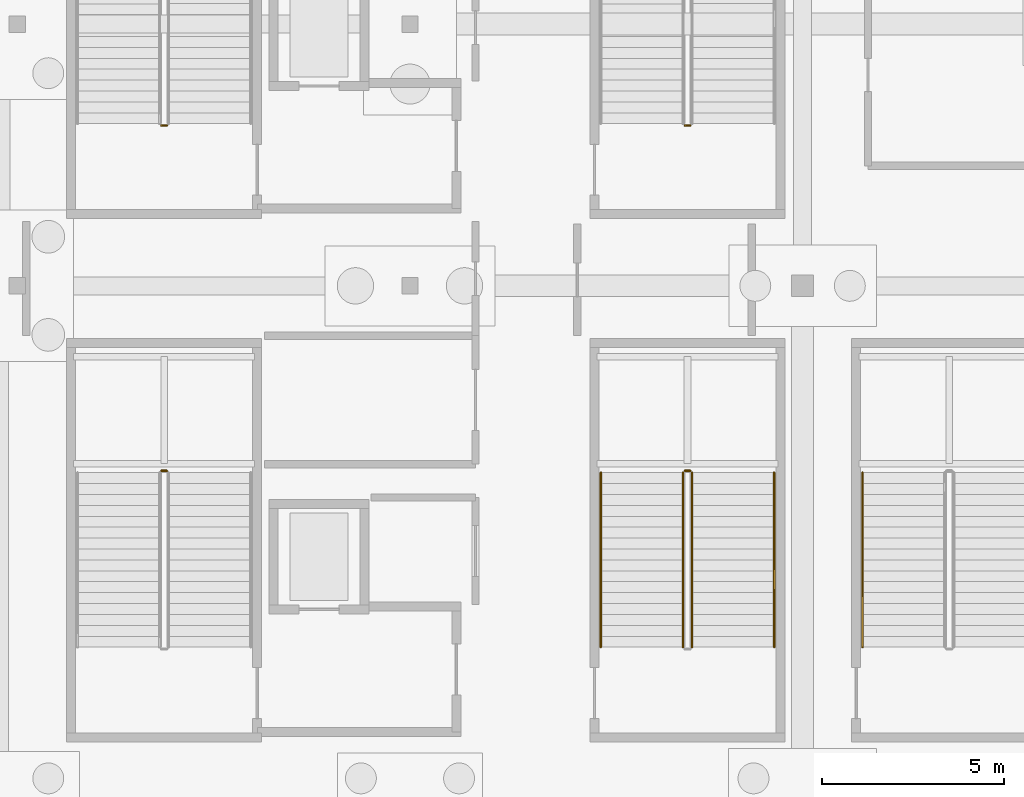
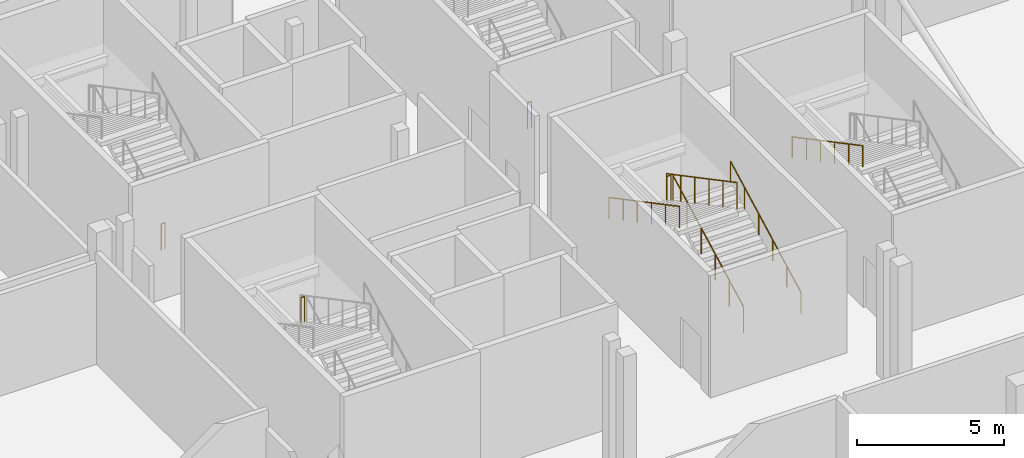
# One storey, part 59 of 89: 9 railings.
"""IFC4 building model written with IfcOpenShell, lengths in metres."""

from ifc_helpers import new_model, si_unit, direction, frame, origin, origin_2d, place, context, subcontext, project, spatial, circle, extrude, material, type_object, element, save


model = new_model("IFC4")

# Units and contexts
model_context = context("Model", 3, precision=1e-05, world=origin(), true_north=direction((0.0, 1.0)))
body_context = subcontext(model_context, "Body", "Model", "MODEL_VIEW")
ifc_project = project(units=[si_unit("LENGTHUNIT", "METRE"), si_unit("AREAUNIT", "SQUARE_METRE"), si_unit("VOLUMEUNIT", "CUBIC_METRE"), si_unit("PLANEANGLEUNIT", "RADIAN"), si_unit("MASSUNIT", "GRAM", prefix="KILO")], contexts=[model_context])

# Site, building, storey
site_placement = place(None, origin())
site = spatial("IfcSite", under=ifc_project, at=site_placement, CompositionType="ELEMENT")
building_placement = place(site_placement, origin())
building = spatial("IfcBuilding", under=site, at=building_placement, Name="Koshinbarg Plaza Stadium", CompositionType="ELEMENT")
storey_placement = place(building_placement, origin())
storey = spatial("IfcBuildingStorey", under=building, at=storey_placement, Name="L00", CompositionType="ELEMENT", Elevation=0.0)

# Railings
ifc_material_1 = material(Name="Galvanized painted steel guardrail", Category="steel")
railing_type_1 = type_object("IfcRailingType", Name="RL-GUARD-1100", PredefinedType="GUARDRAIL", material=ifc_material_1)
for number, where, name in (
    (1, (28.7099609375, 34.81005859375, 2.699951171875), "L00 C01 stair guard 2"),
    (2, (28.7099609375, 44.31005859375, 0.0), "L00 C02 stair guard 4"),
):
    element("IfcRailing", number, at=place(storey_placement, frame(where)), inside=storey, type_object=railing_type_1, Name=name, PredefinedType="GUARDRAIL", context=body_context, shape_type="SweptSolid", body=[
        extrude(circle(Radius=0.02392578125, at=origin_2d()), frame((0.0, 0.0, 1.076171875), z_axis=(-1.0, 0.0, 0.0), x_axis=(0.0, -1.0, 0.0)), (0.0, 0.0, 1.0), 0.14990234375),
        extrude(circle(Radius=0.02099609375, at=origin_2d()), origin(), (0.0, 0.0, 1.0), 1.052001953125),
        extrude(circle(Radius=0.02099609375, at=origin_2d()), frame((-0.14990234375, 0.0, 0.0)), (0.0, 0.0, 1.0), 1.052001953125),
    ])
railing_1_placement = place(storey_placement, frame((43.159912109375, 29.9599609375, 0.158935546875)))
element("IfcRailing", 3, at=railing_1_placement, inside=storey, type_object=railing_type_1, Name="L00 VX01 stair guard 1", PredefinedType="GUARDRAIL", context=body_context, shape_type="SweptSolid", body=[
    extrude(circle(Radius=0.02392578125, at=origin_2d()), frame((0.0, 0.0, 1.076171875), z_axis=(0.0, 0.883802130504, 0.467860870469), x_axis=(-1.0, 0.0, 0.0)), (0.0, 0.0, 1.0), 5.43115234375),
    extrude(circle(Radius=0.02099609375, at=origin_2d()), origin(), (0.0, 0.0, 1.0), 1.052001953125),
    extrude(circle(Radius=0.02099609375, at=origin_2d()), frame((0.0, 0.9599609375, 0.50830078125)), (0.0, 0.0, 1.0), 1.052001953125),
    extrude(circle(Radius=0.02099609375, at=origin_2d()), frame((0.0, 1.919921875, 1.016357421875)), (0.0, 0.0, 1.0), 1.052001953125),
    extrude(circle(Radius=0.02099609375, at=origin_2d()), frame((0.0, 2.880126953125, 1.524658203125)), (0.0, 0.0, 1.0), 1.052001953125),
    extrude(circle(Radius=0.02099609375, at=origin_2d()), frame((0.0, 3.840087890625, 2.03271484375)), (0.0, 0.0, 1.0), 1.052001953125),
    extrude(circle(Radius=0.02099609375, at=origin_2d()), frame((0.0, 4.800048828125, 2.541015625)), (0.0, 0.0, 1.0), 1.052001953125),
])
railing_2_placement = place(storey_placement, frame((43.110107421875, 34.81005859375, 2.699951171875)))
element("IfcRailing", 4, at=railing_2_placement, inside=storey, type_object=railing_type_1, Name="L00 VX01 stair guard 2", PredefinedType="GUARDRAIL", context=body_context, shape_type="SweptSolid", body=[
    extrude(circle(Radius=0.02392578125, at=origin_2d()), frame((0.0, 0.0, 1.076171875), z_axis=(-1.0, 0.0, 0.0), x_axis=(0.0, -1.0, 0.0)), (0.0, 0.0, 1.0), 0.150146484375),
    extrude(circle(Radius=0.02099609375, at=origin_2d()), origin(), (0.0, 0.0, 1.0), 1.052001953125),
    extrude(circle(Radius=0.02099609375, at=origin_2d()), frame((-0.150146484375, 0.0, 0.0)), (0.0, 0.0, 1.0), 1.052001953125),
])
railing_3_placement = place(storey_placement, frame((42.909912109375, 34.760009765625, 2.85888671875)))
element("IfcRailing", 5, at=railing_3_placement, inside=storey, type_object=railing_type_1, Name="L00 VX01 stair guard 3", PredefinedType="GUARDRAIL", context=body_context, shape_type="SweptSolid", body=[
    extrude(circle(Radius=0.02392578125, at=origin_2d()), frame((0.0, 0.0, 1.076171875), z_axis=(0.0, -0.883802130504, 0.467860870469), x_axis=(1.0, 0.0, 0.0)), (0.0, 0.0, 1.0), 5.43115234375),
    extrude(circle(Radius=0.02099609375, at=origin_2d()), origin(), (0.0, 0.0, 1.0), 1.052001953125),
    extrude(circle(Radius=0.02099609375, at=origin_2d()), frame((0.0, -0.9599609375, 0.50830078125)), (0.0, 0.0, 1.0), 1.052001953125),
    extrude(circle(Radius=0.02099609375, at=origin_2d()), frame((0.0, -1.919921875, 1.016357421875)), (0.0, 0.0, 1.0), 1.052001953125),
    extrude(circle(Radius=0.02099609375, at=origin_2d()), frame((0.0, -2.880126953125, 1.524658203125)), (0.0, 0.0, 1.0), 1.052001953125),
    extrude(circle(Radius=0.02099609375, at=origin_2d()), frame((0.0, -3.840087890625, 2.03271484375)), (0.0, 0.0, 1.0), 1.052001953125),
    extrude(circle(Radius=0.02099609375, at=origin_2d()), frame((0.0, -4.800048828125, 2.541015625)), (0.0, 0.0, 1.0), 1.052001953125),
])
railing_4_placement = place(storey_placement, frame((43.110107421875, 44.31005859375, 0.0)))
element("IfcRailing", 6, at=railing_4_placement, inside=storey, type_object=railing_type_1, Name="L00 VX02 stair guard 4", PredefinedType="GUARDRAIL", context=body_context, shape_type="SweptSolid", body=[
    extrude(circle(Radius=0.02392578125, at=origin_2d()), frame((0.0, 0.0, 1.076171875), z_axis=(-1.0, 0.0, 0.0), x_axis=(0.0, -1.0, 0.0)), (0.0, 0.0, 1.0), 0.150146484375),
    extrude(circle(Radius=0.02099609375, at=origin_2d()), origin(), (0.0, 0.0, 1.0), 1.052001953125),
    extrude(circle(Radius=0.02099609375, at=origin_2d()), frame((-0.150146484375, 0.0, 0.0)), (0.0, 0.0, 1.0), 1.052001953125),
])
ifc_material_2 = material(Name="Brushed stainless steel handrail", Category="steel")
railing_type_2 = type_object("IfcRailingType", Name="RL-HAND-900", PredefinedType="HANDRAIL", material=ifc_material_2)
railing_5_placement = place(storey_placement, frame((45.419921875, 29.9599609375, 0.158935546875)))
element("IfcRailing", 7, at=railing_5_placement, inside=storey, type_object=railing_type_2, Name="L00 VX01 stair handrail 1", PredefinedType="HANDRAIL", context=body_context, shape_type="SweptSolid", body=[
    extrude(circle(Radius=0.02392578125, at=origin_2d()), frame((0.0, 0.0, 0.8759765625), z_axis=(0.0, 0.883802130504, 0.467860870469), x_axis=(-1.0, 0.0, 0.0)), (0.0, 0.0, 1.0), 5.43115234375),
    extrude(circle(Radius=0.02099609375, at=origin_2d()), origin(), (0.0, 0.0, 1.0), 0.851806640625),
    extrude(circle(Radius=0.02099609375, at=origin_2d()), frame((0.0, 0.9599609375, 0.50830078125)), (0.0, 0.0, 1.0), 0.851806640625),
    extrude(circle(Radius=0.02099609375, at=origin_2d()), frame((0.0, 1.919921875, 1.016357421875)), (0.0, 0.0, 1.0), 0.851806640625),
    extrude(circle(Radius=0.02099609375, at=origin_2d()), frame((0.0, 2.880126953125, 1.524658203125)), (0.0, 0.0, 1.0), 0.851806640625),
    extrude(circle(Radius=0.02099609375, at=origin_2d()), frame((0.0, 3.840087890625, 2.03271484375)), (0.0, 0.0, 1.0), 0.851806640625),
    extrude(circle(Radius=0.02099609375, at=origin_2d()), frame((0.0, 4.800048828125, 2.541015625)), (0.0, 0.0, 1.0), 0.851806640625),
])
for number, where, name in (
    (8, (40.64990234375, 34.760009765625, 2.85888671875), "L00 VX01 stair handrail 2"),
    (9, (47.85009765625, 34.760009765625, 2.85888671875), "L00 VL01 stair handrail 2"),
):
    element("IfcRailing", number, at=place(storey_placement, frame(where)), inside=storey, type_object=railing_type_2, Name=name, PredefinedType="HANDRAIL", context=body_context, shape_type="SweptSolid", body=[
        extrude(circle(Radius=0.02392578125, at=origin_2d()), frame((0.0, 0.0, 0.8759765625), z_axis=(0.0, -0.883802130504, 0.467860870469), x_axis=(1.0, 0.0, 0.0)), (0.0, 0.0, 1.0), 5.43115234375),
        extrude(circle(Radius=0.02099609375, at=origin_2d()), origin(), (0.0, 0.0, 1.0), 0.851806640625),
        extrude(circle(Radius=0.02099609375, at=origin_2d()), frame((0.0, -0.9599609375, 0.50830078125)), (0.0, 0.0, 1.0), 0.851806640625),
        extrude(circle(Radius=0.02099609375, at=origin_2d()), frame((0.0, -1.919921875, 1.016357421875)), (0.0, 0.0, 1.0), 0.851806640625),
        extrude(circle(Radius=0.02099609375, at=origin_2d()), frame((0.0, -2.880126953125, 1.524658203125)), (0.0, 0.0, 1.0), 0.851806640625),
        extrude(circle(Radius=0.02099609375, at=origin_2d()), frame((0.0, -3.840087890625, 2.03271484375)), (0.0, 0.0, 1.0), 0.851806640625),
        extrude(circle(Radius=0.02099609375, at=origin_2d()), frame((0.0, -4.800048828125, 2.541015625)), (0.0, 0.0, 1.0), 0.851806640625),
    ])

save(model, "model.ifc")
